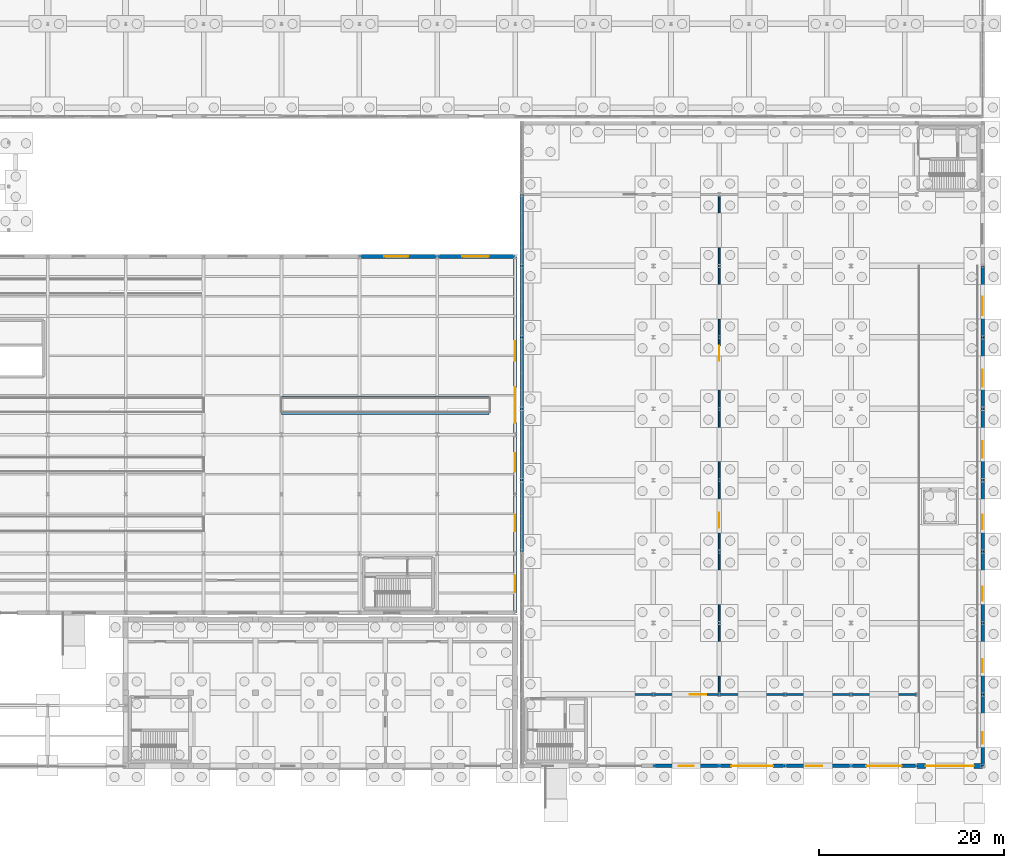
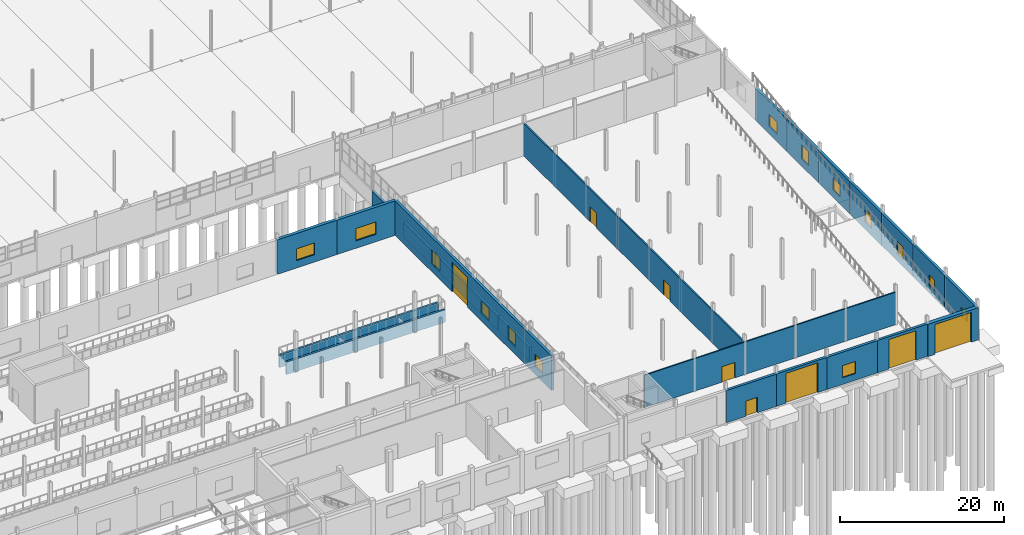
# One storey, part 127 of 139: 24 walls, 14 windows, 8 doors, 22 openings.
"""IFC4 building model written with IfcOpenShell, lengths in metres."""

from ifc_helpers import new_model, si_unit, direction, frame, frame_2d, origin, place, context, subcontext, project, spatial, rectangle, extrude, material, layer, layer_set, type_object, element, fill, save


model = new_model("IFC4")

# Units and contexts
model_context = context("Model", 3, precision=1e-05, world=origin(), true_north=direction((0.0, 1.0)))
body_context = subcontext(model_context, "Body", "Model", "MODEL_VIEW")
ifc_project = project(units=[si_unit("LENGTHUNIT", "METRE"), si_unit("AREAUNIT", "SQUARE_METRE"), si_unit("VOLUMEUNIT", "CUBIC_METRE"), si_unit("PLANEANGLEUNIT", "RADIAN"), si_unit("MASSUNIT", "GRAM", prefix="KILO")], contexts=[model_context])

# Site, building, storey
site_placement = place(None, origin())
site = spatial("IfcSite", under=ifc_project, at=site_placement, CompositionType="ELEMENT")
building_placement = place(site_placement, origin())
building = spatial("IfcBuilding", under=site, at=building_placement, Name="Kazenagashi Tramway Depot", CompositionType="ELEMENT")
storey_placement = place(building_placement, origin())
storey = spatial("IfcBuildingStorey", under=building, at=storey_placement, Name="L01", CompositionType="ELEMENT", Elevation=0.0)

# Wall, opening, window
ifc_material_1 = material(Name="Clay Brick Masonry JIS R 1250 Class 1 (20 MPa)", Category="masonry")
ifc_layer_1 = layer(ifc_material_1, 0.43)
ifc_layer_set_1 = layer_set([ifc_layer_1], Name="Clay Brick Masonry JIS R 1250 Class 1 (20 MPa)")
wall_type_1 = type_object("IfcWallType", Name="W-BK1", PredefinedType="SOLIDWALL", material=ifc_layer_set_1)
wall_1_placement = place(storey_placement, frame((128.8, 54.9, 0.0), z_axis=(0.0, 0.0, 1.0), x_axis=(1.0, 0.0, 0.0)))
wall_1 = element("IfcWall", 1, at=wall_1_placement, inside=storey, type_object=wall_type_1, Name="Exterior Brick Wall W-BK1 EWALL-0121", PredefinedType="SOLIDWALL", context=body_context, shape_type="SweptSolid", body=[
    extrude(rectangle(XDim=8.4, YDim=0.43, at=frame_2d((4.2, 0.0))), origin(), (0.0, 0.0, 1.0), 5.14),
])
opening_1_placement = place(wall_1_placement, frame((2.7, 0.0, 1.1)))
opening_1 = element("IfcOpeningElement", 2, at=opening_1_placement, cuts=wall_1, Name="Opening WN-42", PredefinedType="OPENING", context=body_context, shape_type="SweptSolid", body=[
    extrude(rectangle(XDim=2.55, YDim=1.75, at=frame_2d((1.275, 0.875))), frame((0.0, 0.225, 0.0), z_axis=(0.0, -1.0, 0.0), x_axis=(1.0, 0.0, 0.0)), (0.0, 0.0, 1.0), 0.45),
])
ifc_material_2 = material(Name="Anodised Aluminium and Tempered Low-E Glass", Category="aluminium")
window_type_1 = type_object("IfcWindowType", Name="WN-42", PartitioningType="SINGLE_PANEL", PredefinedType="WINDOW", material=ifc_material_2)
window_1_placement = place(opening_1_placement, origin())
window_1 = element("IfcWindow", 3, at=window_1_placement, inside=storey, type_object=window_type_1, Name="Window WN-42 WIN-0090", OverallHeight=1.75, OverallWidth=2.55, PartitioningType="SINGLE_PANEL", PredefinedType="WINDOW", context=body_context, shape_type="SweptSolid", body=[
    extrude(rectangle(XDim=2.55, YDim=1.75, at=frame_2d((1.275, 0.875))), frame((0.0, 0.03, 0.0), z_axis=(0.0, -1.0, 0.0), x_axis=(1.0, 0.0, 0.0)), (0.0, 0.0, 1.0), 0.06),
])
fill(opening_1, window_1)

wall_2_placement = place(storey_placement, frame((137.2, 54.9, 0.0), z_axis=(0.0, 0.0, 1.0), x_axis=(1.0, 0.0, 0.0)))
wall_2 = element("IfcWall", 4, at=wall_2_placement, inside=storey, type_object=wall_type_1, Name="Exterior Brick Wall W-BK1 EWALL-0123", PredefinedType="SOLIDWALL", context=body_context, shape_type="SweptSolid", body=[
    extrude(rectangle(XDim=8.4, YDim=0.43, at=frame_2d((4.2, 0.0))), origin(), (0.0, 0.0, 1.0), 5.14),
])
opening_2_placement = place(wall_2_placement, frame((2.7, 0.0, 1.1)))
opening_2 = element("IfcOpeningElement", 5, at=opening_2_placement, cuts=wall_2, Name="Opening WN-44", PredefinedType="OPENING", context=body_context, shape_type="SweptSolid", body=[
    extrude(rectangle(XDim=2.85, YDim=1.85, at=frame_2d((1.425, 0.925))), frame((0.0, 0.225, 0.0), z_axis=(0.0, -1.0, 0.0), x_axis=(1.0, 0.0, 0.0)), (0.0, 0.0, 1.0), 0.45),
])
window_type_2 = type_object("IfcWindowType", Name="WN-44", PartitioningType="SINGLE_PANEL", PredefinedType="WINDOW", material=ifc_material_2)
window_2_placement = place(opening_2_placement, origin())
window_2 = element("IfcWindow", 6, at=window_2_placement, inside=storey, type_object=window_type_2, Name="Window WN-44 WIN-0092", OverallHeight=1.85, OverallWidth=2.85, PartitioningType="SINGLE_PANEL", PredefinedType="WINDOW", context=body_context, shape_type="SweptSolid", body=[
    extrude(rectangle(XDim=2.85, YDim=1.85, at=frame_2d((1.425, 0.925))), frame((0.0, 0.03, 0.0), z_axis=(0.0, -1.0, 0.0), x_axis=(1.0, 0.0, 0.0)), (0.0, 0.0, 1.0), 0.06),
])
fill(opening_2, window_2)

# Wall, openings, door, windows
ifc_layer_2 = layer(ifc_material_1, 0.36)
ifc_layer_set_2 = layer_set([ifc_layer_2], Name="Clay Brick Masonry JIS R 1250 Class 1 (20 MPa)")
wall_type_2 = type_object("IfcWallType", Name="W-BK2", PredefinedType="SOLIDWALL", material=ifc_layer_set_2)
wall_3_placement = place(storey_placement, frame((145.6, 16.5, 0.0), z_axis=(0.0, 0.0, 1.0), x_axis=(0.0, 1.0, 0.0)))
wall_3 = element("IfcWall", 7, at=wall_3_placement, inside=storey, type_object=wall_type_2, Name="Exterior Brick Wall W-BK2 EWALL-0073", PredefinedType="SOLIDWALL", context=body_context, shape_type="SweptSolid", body=[
    extrude(rectangle(XDim=38.4, YDim=0.36, at=frame_2d((19.2, 0.0))), origin(), (0.0, 0.0, 1.0), 5.14),
])
opening_3_placement = place(wall_3_placement, frame((20.5, 0.0, 0.0)))
opening_3 = element("IfcOpeningElement", 8, at=opening_3_placement, cuts=wall_3, Name="Opening RS-17", PredefinedType="OPENING", context=body_context, shape_type="SweptSolid", body=[
    extrude(rectangle(XDim=3.8, YDim=4.4, at=frame_2d((1.9, 2.2))), frame((0.0, 0.19, 0.0), z_axis=(0.0, -1.0, 0.0), x_axis=(1.0, 0.0, 0.0)), (0.0, 0.0, 1.0), 0.38),
])
opening_4_placement = place(wall_3_placement, frame((2.2, 0.0, 1.2)))
opening_4 = element("IfcOpeningElement", 9, at=opening_4_placement, cuts=wall_3, Name="Opening WN-05", PredefinedType="OPENING", context=body_context, shape_type="SweptSolid", body=[
    extrude(rectangle(XDim=1.8, YDim=1.8, at=frame_2d((0.9, 0.9))), frame((0.0, 0.19, 0.0), z_axis=(0.0, -1.0, 0.0), x_axis=(1.0, 0.0, 0.0)), (0.0, 0.0, 1.0), 0.38),
])
opening_5_placement = place(wall_3_placement, frame((8.8, 0.0, 1.2)))
opening_5 = element("IfcOpeningElement", 10, at=opening_5_placement, cuts=wall_3, Name="Opening WN-06", PredefinedType="OPENING", context=body_context, shape_type="SweptSolid", body=[
    extrude(rectangle(XDim=1.8, YDim=2.1, at=frame_2d((0.9, 1.05))), frame((0.0, 0.19, 0.0), z_axis=(0.0, -1.0, 0.0), x_axis=(1.0, 0.0, 0.0)), (0.0, 0.0, 1.0), 0.38),
])
opening_6_placement = place(wall_3_placement, frame((15.2, 0.0, 1.2)))
opening_6 = element("IfcOpeningElement", 11, at=opening_6_placement, cuts=wall_3, Name="Opening WN-07", PredefinedType="OPENING", context=body_context, shape_type="SweptSolid", body=[
    extrude(rectangle(XDim=2.0, YDim=1.8, at=frame_2d((1.0, 0.9))), frame((0.0, 0.19, 0.0), z_axis=(0.0, -1.0, 0.0), x_axis=(1.0, 0.0, 0.0)), (0.0, 0.0, 1.0), 0.38),
])
opening_7_placement = place(wall_3_placement, frame((27.2, 0.0, 1.2)))
opening_7 = element("IfcOpeningElement", 12, at=opening_7_placement, cuts=wall_3, Name="Opening WN-08", PredefinedType="OPENING", context=body_context, shape_type="SweptSolid", body=[
    extrude(rectangle(XDim=2.1, YDim=2.1, at=frame_2d((1.05, 1.05))), frame((0.0, 0.19, 0.0), z_axis=(0.0, -1.0, 0.0), x_axis=(1.0, 0.0, 0.0)), (0.0, 0.0, 1.0), 0.38),
])
ifc_material_3 = material(Name="Galvanised Insulated Steel Slats", Category="steel")
door_type_1 = type_object("IfcDoorType", Name="DT-27", OperationType="NOTDEFINED", PredefinedType="DOOR", material=ifc_material_3)
door_1_placement = place(opening_3_placement, frame((3.8, 0.0, 0.0), z_axis=(0.0, 0.0, 1.0), x_axis=(-1.0, 0.0, 0.0)))
door_1 = element("IfcDoor", 13, at=door_1_placement, inside=storey, type_object=door_type_1, Name="Motorised Vehicle Roller Shutter RS-17", OperationType="ROLLINGUP", OverallHeight=4.4, OverallWidth=3.8, PredefinedType="DOOR", context=body_context, shape_type="SweptSolid", body=[
    extrude(rectangle(XDim=3.8, YDim=4.4, at=frame_2d((1.9, 2.2))), frame((0.0, 0.025, 0.0), z_axis=(0.0, -1.0, 0.0), x_axis=(1.0, 0.0, 0.0)), (0.0, 0.0, 1.0), 0.05),
])
fill(opening_3, door_1)
window_type_3 = type_object("IfcWindowType", Name="WN-05", PartitioningType="SINGLE_PANEL", PredefinedType="WINDOW", material=ifc_material_2)
window_3_placement = place(opening_4_placement, origin())
window_3 = element("IfcWindow", 14, at=window_3_placement, inside=storey, type_object=window_type_3, Name="Window WN-05 WIN-0045", OverallHeight=1.8, OverallWidth=1.8, PartitioningType="SINGLE_PANEL", PredefinedType="WINDOW", context=body_context, shape_type="SweptSolid", body=[
    extrude(rectangle(XDim=1.8, YDim=1.8, at=frame_2d((0.9, 0.9))), frame((0.0, 0.03, 0.0), z_axis=(0.0, -1.0, 0.0), x_axis=(1.0, 0.0, 0.0)), (0.0, 0.0, 1.0), 0.06),
])
fill(opening_4, window_3)
window_type_4 = type_object("IfcWindowType", Name="WN-06", PartitioningType="SINGLE_PANEL", PredefinedType="WINDOW", material=ifc_material_2)
window_4_placement = place(opening_5_placement, origin())
window_4 = element("IfcWindow", 15, at=window_4_placement, inside=storey, type_object=window_type_4, Name="Window WN-06 WIN-0046", OverallHeight=2.1, OverallWidth=1.8, PartitioningType="SINGLE_PANEL", PredefinedType="WINDOW", context=body_context, shape_type="SweptSolid", body=[
    extrude(rectangle(XDim=1.8, YDim=2.1, at=frame_2d((0.9, 1.05))), frame((0.0, 0.03, 0.0), z_axis=(0.0, -1.0, 0.0), x_axis=(1.0, 0.0, 0.0)), (0.0, 0.0, 1.0), 0.06),
])
fill(opening_5, window_4)
window_type_5 = type_object("IfcWindowType", Name="WN-07", PartitioningType="SINGLE_PANEL", PredefinedType="WINDOW", material=ifc_material_2)
window_5_placement = place(opening_6_placement, origin())
window_5 = element("IfcWindow", 16, at=window_5_placement, inside=storey, type_object=window_type_5, Name="Window WN-07 WIN-0047", OverallHeight=1.8, OverallWidth=2.0, PartitioningType="SINGLE_PANEL", PredefinedType="WINDOW", context=body_context, shape_type="SweptSolid", body=[
    extrude(rectangle(XDim=2.0, YDim=1.8, at=frame_2d((1.0, 0.9))), frame((0.0, 0.03, 0.0), z_axis=(0.0, -1.0, 0.0), x_axis=(1.0, 0.0, 0.0)), (0.0, 0.0, 1.0), 0.06),
])
fill(opening_6, window_5)
window_type_6 = type_object("IfcWindowType", Name="WN-08", PartitioningType="SINGLE_PANEL", PredefinedType="WINDOW", material=ifc_material_2)
window_6_placement = place(opening_7_placement, origin())
window_6 = element("IfcWindow", 17, at=window_6_placement, inside=storey, type_object=window_type_6, Name="Window WN-08 WIN-0048", OverallHeight=2.1, OverallWidth=2.1, PartitioningType="SINGLE_PANEL", PredefinedType="WINDOW", context=body_context, shape_type="SweptSolid", body=[
    extrude(rectangle(XDim=2.1, YDim=2.1, at=frame_2d((1.05, 1.05))), frame((0.0, 0.03, 0.0), z_axis=(0.0, -1.0, 0.0), x_axis=(1.0, 0.0, 0.0)), (0.0, 0.0, 1.0), 0.06),
])
fill(opening_7, window_6)

# Wall, opening, door
wall_4_placement = place(storey_placement, frame((160.5, 0.0, 0.0), z_axis=(0.0, 0.0, 1.0), x_axis=(1.0, 0.0, 0.0)))
wall_4 = element("IfcWall", 18, at=wall_4_placement, inside=storey, type_object=wall_type_2, Name="Exterior Brick Wall W-BK2 EWALL-0157", PredefinedType="SOLIDWALL", context=body_context, shape_type="SweptSolid", body=[
    extrude(rectangle(XDim=7.1, YDim=0.36, at=frame_2d((3.55, 0.0))), origin(), (0.0, 0.0, 1.0), 4.82),
])
opening_8_placement = place(wall_4_placement, frame((2.75, 0.0, 0.0)))
opening_8 = element("IfcOpeningElement", 19, at=opening_8_placement, cuts=wall_4, Name="Opening D-010", PredefinedType="OPENING", context=body_context, shape_type="SweptSolid", body=[
    extrude(rectangle(XDim=1.6, YDim=2.3, at=frame_2d((0.8, 1.15))), frame((0.0, 0.19, 0.0), z_axis=(0.0, -1.0, 0.0), x_axis=(1.0, 0.0, 0.0)), (0.0, 0.0, 1.0), 0.38),
])
ifc_material_4 = material(Name="Anodised Aluminium and Laminated Glass", Category="aluminium")
door_type_2 = type_object("IfcDoorType", Name="DT-02", OperationType="NOTDEFINED", PredefinedType="DOOR", material=ifc_material_4)
door_2_placement = place(opening_8_placement, frame((1.6, 0.0, 0.0), z_axis=(0.0, 0.0, 1.0), x_axis=(-1.0, 0.0, 0.0)))
door_2 = element("IfcDoor", 20, at=door_2_placement, inside=storey, type_object=door_type_2, Name="Wash Plant Final Exit Door D-010", OperationType="DOUBLE_DOOR_SINGLE_SWING", OverallHeight=2.3, OverallWidth=1.6, PredefinedType="DOOR", context=body_context, shape_type="SweptSolid", body=[
    extrude(rectangle(XDim=1.6, YDim=2.3, at=frame_2d((0.8, 1.15))), frame((0.0, 0.025, 0.0), z_axis=(0.0, -1.0, 0.0), x_axis=(1.0, 0.0, 0.0)), (0.0, 0.0, 1.0), 0.05),
])
fill(opening_8, door_2)

wall_5_placement = place(storey_placement, frame((167.6, 0.0, 0.0), z_axis=(0.0, 0.0, 1.0), x_axis=(1.0, 0.0, 0.0)))
wall_5 = element("IfcWall", 21, at=wall_5_placement, inside=storey, type_object=wall_type_2, Name="Exterior Brick Wall W-BK2 EWALL-0158", PredefinedType="SOLIDWALL", context=body_context, shape_type="SweptSolid", body=[
    extrude(rectangle(XDim=7.1, YDim=0.36, at=frame_2d((3.55, 0.0))), origin(), (0.0, 0.0, 1.0), 4.82),
])
opening_9_placement = place(wall_5_placement, frame((1.3, 0.0, 0.0)))
opening_9 = element("IfcOpeningElement", 22, at=opening_9_placement, cuts=wall_5, Name="Opening RS-19", PredefinedType="OPENING", context=body_context, shape_type="SweptSolid", body=[
    extrude(rectangle(XDim=4.5, YDim=4.45, at=frame_2d((2.25, 2.225))), frame((0.0, 0.19, 0.0), z_axis=(0.0, -1.0, 0.0), x_axis=(1.0, 0.0, 0.0)), (0.0, 0.0, 1.0), 0.38),
])
door_type_3 = type_object("IfcDoorType", Name="DT-24", OperationType="NOTDEFINED", PredefinedType="DOOR", material=ifc_material_3)
door_3_placement = place(opening_9_placement, frame((4.5, 0.0, 0.0), z_axis=(0.0, 0.0, 1.0), x_axis=(-1.0, 0.0, 0.0)))
door_3 = element("IfcDoor", 23, at=door_3_placement, inside=storey, type_object=door_type_3, Name="Motorised Vehicle Roller Shutter RS-19", OperationType="ROLLINGUP", OverallHeight=4.45, OverallWidth=4.5, PredefinedType="DOOR", context=body_context, shape_type="SweptSolid", body=[
    extrude(rectangle(XDim=4.5, YDim=4.45, at=frame_2d((2.25, 2.225))), frame((0.0, 0.025, 0.0), z_axis=(0.0, -1.0, 0.0), x_axis=(1.0, 0.0, 0.0)), (0.0, 0.0, 1.0), 0.05),
])
fill(opening_9, door_3)

# Wall, opening, window
wall_6_placement = place(storey_placement, frame((174.7, 0.0, 0.0), z_axis=(0.0, 0.0, 1.0), x_axis=(1.0, 0.0, 0.0)))
wall_6 = element("IfcWall", 24, at=wall_6_placement, inside=storey, type_object=wall_type_2, Name="Exterior Brick Wall W-BK2 EWALL-0159", PredefinedType="SOLIDWALL", context=body_context, shape_type="SweptSolid", body=[
    extrude(rectangle(XDim=7.1, YDim=0.36, at=frame_2d((3.55, 0.0))), origin(), (0.0, 0.0, 1.0), 4.82),
])
opening_10_placement = place(wall_6_placement, frame((2.2, 0.0, 1.0)))
opening_10 = element("IfcOpeningElement", 25, at=opening_10_placement, cuts=wall_6, Name="Opening WN-05", PredefinedType="OPENING", context=body_context, shape_type="SweptSolid", body=[
    extrude(rectangle(XDim=1.8, YDim=1.8, at=frame_2d((0.9, 0.9))), frame((0.0, 0.19, 0.0), z_axis=(0.0, -1.0, 0.0), x_axis=(1.0, 0.0, 0.0)), (0.0, 0.0, 1.0), 0.38),
])
window_7_placement = place(opening_10_placement, origin())
window_7 = element("IfcWindow", 26, at=window_7_placement, inside=storey, type_object=window_type_3, Name="Window WN-05 WIN-0155", OverallHeight=1.8, OverallWidth=1.8, PartitioningType="SINGLE_PANEL", PredefinedType="WINDOW", context=body_context, shape_type="SweptSolid", body=[
    extrude(rectangle(XDim=1.8, YDim=1.8, at=frame_2d((0.9, 0.9))), frame((0.0, 0.03, 0.0), z_axis=(0.0, -1.0, 0.0), x_axis=(1.0, 0.0, 0.0)), (0.0, 0.0, 1.0), 0.06),
])
fill(opening_10, window_7)

# Wall, opening, door
wall_7_placement = place(storey_placement, frame((181.8, 0.0, 0.0), z_axis=(0.0, 0.0, 1.0), x_axis=(1.0, 0.0, 0.0)))
wall_7 = element("IfcWall", 27, at=wall_7_placement, inside=storey, type_object=wall_type_2, Name="Exterior Brick Wall W-BK2 EWALL-0160", PredefinedType="SOLIDWALL", context=body_context, shape_type="SweptSolid", body=[
    extrude(rectangle(XDim=7.1, YDim=0.36, at=frame_2d((3.55, 0.0))), origin(), (0.0, 0.0, 1.0), 4.82),
])
opening_11_placement = place(wall_7_placement, frame((1.65, 0.0, 0.0)))
opening_11 = element("IfcOpeningElement", 28, at=opening_11_placement, cuts=wall_7, Name="Opening RS-20", PredefinedType="OPENING", context=body_context, shape_type="SweptSolid", body=[
    extrude(rectangle(XDim=3.8, YDim=4.4, at=frame_2d((1.9, 2.2))), frame((0.0, 0.19, 0.0), z_axis=(0.0, -1.0, 0.0), x_axis=(1.0, 0.0, 0.0)), (0.0, 0.0, 1.0), 0.38),
])
door_4_placement = place(opening_11_placement, frame((3.8, 0.0, 0.0), z_axis=(0.0, 0.0, 1.0), x_axis=(-1.0, 0.0, 0.0)))
door_4 = element("IfcDoor", 29, at=door_4_placement, inside=storey, type_object=door_type_1, Name="Motorised Vehicle Roller Shutter RS-20", OperationType="ROLLINGUP", OverallHeight=4.4, OverallWidth=3.8, PredefinedType="DOOR", context=body_context, shape_type="SweptSolid", body=[
    extrude(rectangle(XDim=3.8, YDim=4.4, at=frame_2d((1.9, 2.2))), frame((0.0, 0.025, 0.0), z_axis=(0.0, -1.0, 0.0), x_axis=(1.0, 0.0, 0.0)), (0.0, 0.0, 1.0), 0.05),
])
fill(opening_11, door_4)

# Wall, opening, window
wall_8_placement = place(storey_placement, frame((196.0, 0.0, 0.0), z_axis=(0.0, 0.0, 1.0), x_axis=(0.0, 1.0, 0.0)))
wall_8 = element("IfcWall", 30, at=wall_8_placement, inside=storey, type_object=wall_type_2, Name="Exterior Brick Wall W-BK2 EWALL-0161", PredefinedType="SOLIDWALL", context=body_context, shape_type="SweptSolid", body=[
    extrude(rectangle(XDim=7.7, YDim=0.36, at=frame_2d((3.85, 0.0))), origin(), (0.0, 0.0, 1.0), 4.82),
])
opening_12_placement = place(wall_8_placement, frame((2.4, 0.0, 1.1)))
opening_12 = element("IfcOpeningElement", 31, at=opening_12_placement, cuts=wall_8, Name="Opening WN-01", PredefinedType="OPENING", context=body_context, shape_type="SweptSolid", body=[
    extrude(rectangle(XDim=1.2, YDim=1.5, at=frame_2d((0.6, 0.75))), frame((0.0, 0.19, 0.0), z_axis=(0.0, -1.0, 0.0), x_axis=(1.0, 0.0, 0.0)), (0.0, 0.0, 1.0), 0.38),
])
window_type_7 = type_object("IfcWindowType", Name="WN-01", PartitioningType="SINGLE_PANEL", PredefinedType="WINDOW", material=ifc_material_2)
window_8_placement = place(opening_12_placement, origin())
window_8 = element("IfcWindow", 32, at=window_8_placement, inside=storey, type_object=window_type_7, Name="Window WN-01 WIN-0156", OverallHeight=1.5, OverallWidth=1.2, PartitioningType="SINGLE_PANEL", PredefinedType="WINDOW", context=body_context, shape_type="SweptSolid", body=[
    extrude(rectangle(XDim=1.2, YDim=1.5, at=frame_2d((0.6, 0.75))), frame((0.0, 0.03, 0.0), z_axis=(0.0, -1.0, 0.0), x_axis=(1.0, 0.0, 0.0)), (0.0, 0.0, 1.0), 0.06),
])
fill(opening_12, window_8)

wall_9_placement = place(storey_placement, frame((196.0, 7.7, 0.0), z_axis=(0.0, 0.0, 1.0), x_axis=(0.0, 1.0, 0.0)))
wall_9 = element("IfcWall", 33, at=wall_9_placement, inside=storey, type_object=wall_type_2, Name="Exterior Brick Wall W-BK2 EWALL-0162", PredefinedType="SOLIDWALL", context=body_context, shape_type="SweptSolid", body=[
    extrude(rectangle(XDim=7.7, YDim=0.36, at=frame_2d((3.85, 0.0))), origin(), (0.0, 0.0, 1.0), 4.82),
])
opening_13_placement = place(wall_9_placement, frame((2.4, 0.0, 1.1)))
opening_13 = element("IfcOpeningElement", 34, at=opening_13_placement, cuts=wall_9, Name="Opening WN-02", PredefinedType="OPENING", context=body_context, shape_type="SweptSolid", body=[
    extrude(rectangle(XDim=1.4, YDim=1.6, at=frame_2d((0.7, 0.8))), frame((0.0, 0.19, 0.0), z_axis=(0.0, -1.0, 0.0), x_axis=(1.0, 0.0, 0.0)), (0.0, 0.0, 1.0), 0.38),
])
window_type_8 = type_object("IfcWindowType", Name="WN-02", PartitioningType="SINGLE_PANEL", PredefinedType="WINDOW", material=ifc_material_2)
window_9_placement = place(opening_13_placement, origin())
window_9 = element("IfcWindow", 35, at=window_9_placement, inside=storey, type_object=window_type_8, Name="Window WN-02 WIN-0157", OverallHeight=1.6, OverallWidth=1.4, PartitioningType="SINGLE_PANEL", PredefinedType="WINDOW", context=body_context, shape_type="SweptSolid", body=[
    extrude(rectangle(XDim=1.4, YDim=1.6, at=frame_2d((0.7, 0.8))), frame((0.0, 0.03, 0.0), z_axis=(0.0, -1.0, 0.0), x_axis=(1.0, 0.0, 0.0)), (0.0, 0.0, 1.0), 0.06),
])
fill(opening_13, window_9)

wall_10_placement = place(storey_placement, frame((196.0, 15.4, 0.0), z_axis=(0.0, 0.0, 1.0), x_axis=(0.0, 1.0, 0.0)))
wall_10 = element("IfcWall", 36, at=wall_10_placement, inside=storey, type_object=wall_type_2, Name="Exterior Brick Wall W-BK2 EWALL-0163", PredefinedType="SOLIDWALL", context=body_context, shape_type="SweptSolid", body=[
    extrude(rectangle(XDim=7.7, YDim=0.36, at=frame_2d((3.85, 0.0))), origin(), (0.0, 0.0, 1.0), 4.82),
])
opening_14_placement = place(wall_10_placement, frame((2.4, 0.0, 1.1)))
opening_14 = element("IfcOpeningElement", 37, at=opening_14_placement, cuts=wall_10, Name="Opening WN-03", PredefinedType="OPENING", context=body_context, shape_type="SweptSolid", body=[
    extrude(rectangle(XDim=1.5, YDim=1.8, at=frame_2d((0.75, 0.9))), frame((0.0, 0.19, 0.0), z_axis=(0.0, -1.0, 0.0), x_axis=(1.0, 0.0, 0.0)), (0.0, 0.0, 1.0), 0.38),
])
window_type_9 = type_object("IfcWindowType", Name="WN-03", PartitioningType="SINGLE_PANEL", PredefinedType="WINDOW", material=ifc_material_2)
window_10_placement = place(opening_14_placement, origin())
window_10 = element("IfcWindow", 38, at=window_10_placement, inside=storey, type_object=window_type_9, Name="Window WN-03 WIN-0158", OverallHeight=1.8, OverallWidth=1.5, PartitioningType="SINGLE_PANEL", PredefinedType="WINDOW", context=body_context, shape_type="SweptSolid", body=[
    extrude(rectangle(XDim=1.5, YDim=1.8, at=frame_2d((0.75, 0.9))), frame((0.0, 0.03, 0.0), z_axis=(0.0, -1.0, 0.0), x_axis=(1.0, 0.0, 0.0)), (0.0, 0.0, 1.0), 0.06),
])
fill(opening_14, window_10)

wall_11_placement = place(storey_placement, frame((196.0, 23.1, 0.0), z_axis=(0.0, 0.0, 1.0), x_axis=(0.0, 1.0, 0.0)))
wall_11 = element("IfcWall", 39, at=wall_11_placement, inside=storey, type_object=wall_type_2, Name="Exterior Brick Wall W-BK2 EWALL-0164", PredefinedType="SOLIDWALL", context=body_context, shape_type="SweptSolid", body=[
    extrude(rectangle(XDim=7.7, YDim=0.36, at=frame_2d((3.85, 0.0))), origin(), (0.0, 0.0, 1.0), 4.82),
])
opening_15_placement = place(wall_11_placement, frame((2.4, 0.0, 1.1)))
opening_15 = element("IfcOpeningElement", 40, at=opening_15_placement, cuts=wall_11, Name="Opening WN-04", PredefinedType="OPENING", context=body_context, shape_type="SweptSolid", body=[
    extrude(rectangle(XDim=1.6, YDim=1.8, at=frame_2d((0.8, 0.9))), frame((0.0, 0.19, 0.0), z_axis=(0.0, -1.0, 0.0), x_axis=(1.0, 0.0, 0.0)), (0.0, 0.0, 1.0), 0.38),
])
window_type_10 = type_object("IfcWindowType", Name="WN-04", PartitioningType="SINGLE_PANEL", PredefinedType="WINDOW", material=ifc_material_2)
window_11_placement = place(opening_15_placement, origin())
window_11 = element("IfcWindow", 41, at=window_11_placement, inside=storey, type_object=window_type_10, Name="Window WN-04 WIN-0159", OverallHeight=1.8, OverallWidth=1.6, PartitioningType="SINGLE_PANEL", PredefinedType="WINDOW", context=body_context, shape_type="SweptSolid", body=[
    extrude(rectangle(XDim=1.6, YDim=1.8, at=frame_2d((0.8, 0.9))), frame((0.0, 0.03, 0.0), z_axis=(0.0, -1.0, 0.0), x_axis=(1.0, 0.0, 0.0)), (0.0, 0.0, 1.0), 0.06),
])
fill(opening_15, window_11)

wall_12_placement = place(storey_placement, frame((196.0, 30.8, 0.0), z_axis=(0.0, 0.0, 1.0), x_axis=(0.0, 1.0, 0.0)))
wall_12 = element("IfcWall", 42, at=wall_12_placement, inside=storey, type_object=wall_type_2, Name="Exterior Brick Wall W-BK2 EWALL-0165", PredefinedType="SOLIDWALL", context=body_context, shape_type="SweptSolid", body=[
    extrude(rectangle(XDim=7.7, YDim=0.36, at=frame_2d((3.85, 0.0))), origin(), (0.0, 0.0, 1.0), 4.82),
])
opening_16_placement = place(wall_12_placement, frame((2.4, 0.0, 1.1)))
opening_16 = element("IfcOpeningElement", 43, at=opening_16_placement, cuts=wall_12, Name="Opening WN-05", PredefinedType="OPENING", context=body_context, shape_type="SweptSolid", body=[
    extrude(rectangle(XDim=1.8, YDim=1.8, at=frame_2d((0.9, 0.9))), frame((0.0, 0.19, 0.0), z_axis=(0.0, -1.0, 0.0), x_axis=(1.0, 0.0, 0.0)), (0.0, 0.0, 1.0), 0.38),
])
window_12_placement = place(opening_16_placement, origin())
window_12 = element("IfcWindow", 44, at=window_12_placement, inside=storey, type_object=window_type_3, Name="Window WN-05 WIN-0160", OverallHeight=1.8, OverallWidth=1.8, PartitioningType="SINGLE_PANEL", PredefinedType="WINDOW", context=body_context, shape_type="SweptSolid", body=[
    extrude(rectangle(XDim=1.8, YDim=1.8, at=frame_2d((0.9, 0.9))), frame((0.0, 0.03, 0.0), z_axis=(0.0, -1.0, 0.0), x_axis=(1.0, 0.0, 0.0)), (0.0, 0.0, 1.0), 0.06),
])
fill(opening_16, window_12)

wall_13_placement = place(storey_placement, frame((196.0, 38.5, 0.0), z_axis=(0.0, 0.0, 1.0), x_axis=(0.0, 1.0, 0.0)))
wall_13 = element("IfcWall", 45, at=wall_13_placement, inside=storey, type_object=wall_type_2, Name="Exterior Brick Wall W-BK2 EWALL-0166", PredefinedType="SOLIDWALL", context=body_context, shape_type="SweptSolid", body=[
    extrude(rectangle(XDim=7.7, YDim=0.36, at=frame_2d((3.85, 0.0))), origin(), (0.0, 0.0, 1.0), 4.82),
])
opening_17_placement = place(wall_13_placement, frame((2.4, 0.0, 1.1)))
opening_17 = element("IfcOpeningElement", 46, at=opening_17_placement, cuts=wall_13, Name="Opening WN-06", PredefinedType="OPENING", context=body_context, shape_type="SweptSolid", body=[
    extrude(rectangle(XDim=1.8, YDim=2.1, at=frame_2d((0.9, 1.05))), frame((0.0, 0.19, 0.0), z_axis=(0.0, -1.0, 0.0), x_axis=(1.0, 0.0, 0.0)), (0.0, 0.0, 1.0), 0.38),
])
window_13_placement = place(opening_17_placement, origin())
window_13 = element("IfcWindow", 47, at=window_13_placement, inside=storey, type_object=window_type_4, Name="Window WN-06 WIN-0161", OverallHeight=2.1, OverallWidth=1.8, PartitioningType="SINGLE_PANEL", PredefinedType="WINDOW", context=body_context, shape_type="SweptSolid", body=[
    extrude(rectangle(XDim=1.8, YDim=2.1, at=frame_2d((0.9, 1.05))), frame((0.0, 0.03, 0.0), z_axis=(0.0, -1.0, 0.0), x_axis=(1.0, 0.0, 0.0)), (0.0, 0.0, 1.0), 0.06),
])
fill(opening_17, window_13)

wall_14_placement = place(storey_placement, frame((196.0, 46.2, 0.0), z_axis=(0.0, 0.0, 1.0), x_axis=(0.0, 1.0, 0.0)))
wall_14 = element("IfcWall", 48, at=wall_14_placement, inside=storey, type_object=wall_type_2, Name="Exterior Brick Wall W-BK2 EWALL-0168", PredefinedType="SOLIDWALL", context=body_context, shape_type="SweptSolid", body=[
    extrude(rectangle(XDim=7.7, YDim=0.36, at=frame_2d((3.85, 0.0))), origin(), (0.0, 0.0, 1.0), 4.82),
])
opening_18_placement = place(wall_14_placement, frame((2.4, 0.0, 1.1)))
opening_18 = element("IfcOpeningElement", 49, at=opening_18_placement, cuts=wall_14, Name="Opening WN-07", PredefinedType="OPENING", context=body_context, shape_type="SweptSolid", body=[
    extrude(rectangle(XDim=2.0, YDim=1.8, at=frame_2d((1.0, 0.9))), frame((0.0, 0.19, 0.0), z_axis=(0.0, -1.0, 0.0), x_axis=(1.0, 0.0, 0.0)), (0.0, 0.0, 1.0), 0.38),
])
window_14_placement = place(opening_18_placement, origin())
window_14 = element("IfcWindow", 50, at=window_14_placement, inside=storey, type_object=window_type_5, Name="Window WN-07 WIN-0163", OverallHeight=1.8, OverallWidth=2.0, PartitioningType="SINGLE_PANEL", PredefinedType="WINDOW", context=body_context, shape_type="SweptSolid", body=[
    extrude(rectangle(XDim=2.0, YDim=1.8, at=frame_2d((1.0, 0.9))), frame((0.0, 0.03, 0.0), z_axis=(0.0, -1.0, 0.0), x_axis=(1.0, 0.0, 0.0)), (0.0, 0.0, 1.0), 0.06),
])
fill(opening_18, window_14)

# Walls
for number, where, z_axis, x_axis, name in (
    (51, (146.3, 23.1, 0.0), (0.0, 0.0, 1.0), (0.0, 1.0, 0.0), "Exterior Brick Wall W-BK2 EWALL-0302"),
    (52, (146.3, 30.8, 0.0), (0.0, 0.0, 1.0), (0.0, 1.0, 0.0), "Exterior Brick Wall W-BK2 EWALL-0303"),
    (53, (146.3, 38.5, 0.0), (0.0, 0.0, 1.0), (0.0, 1.0, 0.0), "Exterior Brick Wall W-BK2 EWALL-0304"),
    (54, (146.3, 46.2, 0.0), (0.0, 0.0, 1.0), (0.0, 1.0, 0.0), "Exterior Brick Wall W-BK2 EWALL-0305"),
    (55, (146.3, 53.9, 0.0), (0.0, 0.0, 1.0), (0.0, 1.0, 0.0), "Exterior Brick Wall W-BK2 EWALL-0306"),
):
    element("IfcWall", number, at=place(storey_placement, frame(where, z_axis=z_axis, x_axis=x_axis)), inside=storey, type_object=wall_type_2, Name=name, PredefinedType="SOLIDWALL", context=body_context, shape_type="SweptSolid", body=[
        extrude(rectangle(XDim=7.7, YDim=0.36, at=frame_2d((3.85, 0.0))), origin(), (0.0, 0.0, 1.0), 2.2),
    ])

# Wall, opening, door
ifc_material_5 = material(Name="Clinker Brick Masonry JIS R 1250 Class 1 (24 MPa)", Category="masonry")
ifc_layer_3 = layer(ifc_material_5, 0.54)
ifc_layer_set_3 = layer_set([ifc_layer_3], Name="Clinker Brick Masonry JIS R 1250 Class 1 (24 MPa)")
wall_type_3 = type_object("IfcWallType", Name="W-BK4", PredefinedType="SOLIDWALL", material=ifc_layer_set_3)
wall_15_placement = place(storey_placement, frame((188.9, 0.0, 0.0), z_axis=(0.0, 0.0, 1.0), x_axis=(1.0, 0.0, 0.0)))
wall_15 = element("IfcWall", 56, at=wall_15_placement, inside=storey, type_object=wall_type_3, Name="Exterior Brick Wall W-BK4 EWALL-0005", PredefinedType="SOLIDWALL", context=body_context, shape_type="SweptSolid", body=[
    extrude(rectangle(XDim=7.1, YDim=0.54, at=frame_2d((3.55, 0.0))), origin(), (0.0, 0.0, 1.0), 4.82),
])
opening_19_placement = place(wall_15_placement, frame((0.95, 0.0, 0.0)))
opening_19 = element("IfcOpeningElement", 57, at=opening_19_placement, cuts=wall_15, Name="Opening RS-01", PredefinedType="OPENING", context=body_context, shape_type="SweptSolid", body=[
    extrude(rectangle(XDim=5.2, YDim=4.45, at=frame_2d((2.6, 2.225))), frame((0.0, 0.28, 0.0), z_axis=(0.0, -1.0, 0.0), x_axis=(1.0, 0.0, 0.0)), (0.0, 0.0, 1.0), 0.56),
])
door_type_4 = type_object("IfcDoorType", Name="DT-26", OperationType="NOTDEFINED", PredefinedType="DOOR", material=ifc_material_3)
door_5_placement = place(opening_19_placement, frame((5.2, 0.0, 0.0), z_axis=(0.0, 0.0, 1.0), x_axis=(-1.0, 0.0, 0.0)))
door_5 = element("IfcDoor", 58, at=door_5_placement, inside=storey, type_object=door_type_4, Name="Motorised Vehicle Roller Shutter RS-01", OperationType="ROLLINGUP", OverallHeight=4.45, OverallWidth=5.2, PredefinedType="DOOR", context=body_context, shape_type="SweptSolid", body=[
    extrude(rectangle(XDim=5.2, YDim=4.45, at=frame_2d((2.6, 2.225))), frame((0.0, 0.025, 0.0), z_axis=(0.0, -1.0, 0.0), x_axis=(1.0, 0.0, 0.0)), (0.0, 0.0, 1.0), 0.05),
])
fill(opening_19, door_5)

ifc_material_6 = material(Name="Gypsum Plasterboard Partition", Category="gypsum")
ifc_layer_4 = layer(ifc_material_6, 0.18)
ifc_layer_set_4 = layer_set([ifc_layer_4], Name="Gypsum Plasterboard Partition")
wall_type_4 = type_object("IfcWallType", Name="W-PT4", PredefinedType="PARTITIONING", material=ifc_layer_set_4)
wall_16_placement = place(storey_placement, frame((153.4, 7.7, 0.0), z_axis=(0.0, 0.0, 1.0), x_axis=(1.0, 0.0, 0.0)))
wall_16 = element("IfcWall", 59, at=wall_16_placement, inside=storey, type_object=wall_type_4, Name="Interior Partition W-PT4 IWALL-0252", PredefinedType="PARTITIONING", context=body_context, shape_type="SweptSolid", body=[
    extrude(rectangle(XDim=35.5, YDim=0.18, at=frame_2d((17.75, 0.0))), origin(), (0.0, 0.0, 1.0), 4.85),
])
opening_20_placement = place(wall_16_placement, frame((11.0, 0.0, 0.0)))
opening_20 = element("IfcOpeningElement", 60, at=opening_20_placement, cuts=wall_16, Name="Opening D-151", PredefinedType="OPENING", context=body_context, shape_type="SweptSolid", body=[
    extrude(rectangle(XDim=1.8, YDim=2.3, at=frame_2d((0.9, 1.15))), frame((0.0, 0.1, 0.0), z_axis=(0.0, -1.0, 0.0), x_axis=(1.0, 0.0, 0.0)), (0.0, 0.0, 1.0), 0.2),
])
ifc_material_7 = material(Name="Galvanised Fire-Rated Steel Door", Category="steel")
door_type_5 = type_object("IfcDoorType", Name="DT-08", OperationType="NOTDEFINED", PredefinedType="DOOR", material=ifc_material_7)
door_6_placement = place(opening_20_placement, origin())
door_6 = element("IfcDoor", 61, at=door_6_placement, inside=storey, type_object=door_type_5, Name="Interior Door D-151", OperationType="DOUBLE_DOOR_SINGLE_SWING", OverallHeight=2.3, OverallWidth=1.8, PredefinedType="DOOR", context=body_context, shape_type="SweptSolid", body=[
    extrude(rectangle(XDim=1.8, YDim=2.3, at=frame_2d((0.9, 1.15))), frame((0.0, 0.025, 0.0), z_axis=(0.0, -1.0, 0.0), x_axis=(1.0, 0.0, 0.0)), (0.0, 0.0, 1.0), 0.05),
])
fill(opening_20, door_6)

# Wall, openings, doors
ifc_layer_5 = layer(ifc_material_6, 0.2)
ifc_layer_set_5 = layer_set([ifc_layer_5], Name="Gypsum Plasterboard Partition")
wall_type_5 = type_object("IfcWallType", Name="W-PT5", PredefinedType="PARTITIONING", material=ifc_layer_set_5)
wall_17_placement = place(storey_placement, frame((167.6, 7.7, 0.0), z_axis=(0.0, 0.0, 1.0), x_axis=(0.0, 1.0, 0.0)))
wall_17 = element("IfcWall", 62, at=wall_17_placement, inside=storey, type_object=wall_type_5, Name="Interior Partition W-PT5 IWALL-0251", PredefinedType="PARTITIONING", context=body_context, shape_type="SweptSolid", body=[
    extrude(rectangle(XDim=53.9, YDim=0.2, at=frame_2d((26.95, 0.0))), origin(), (0.0, 0.0, 1.0), 4.85),
])
opening_21_placement = place(wall_17_placement, frame((18.0, 0.0, 0.0)))
opening_21 = element("IfcOpeningElement", 63, at=opening_21_placement, cuts=wall_17, Name="Opening D-149", PredefinedType="OPENING", context=body_context, shape_type="SweptSolid", body=[
    extrude(rectangle(XDim=1.6, YDim=2.2, at=frame_2d((0.8, 1.1))), frame((0.0, 0.11, 0.0), z_axis=(0.0, -1.0, 0.0), x_axis=(1.0, 0.0, 0.0)), (0.0, 0.0, 1.0), 0.22),
])
opening_22_placement = place(wall_17_placement, frame((36.0, 0.0, 0.0)))
opening_22 = element("IfcOpeningElement", 64, at=opening_22_placement, cuts=wall_17, Name="Opening D-150", PredefinedType="OPENING", context=body_context, shape_type="SweptSolid", body=[
    extrude(rectangle(XDim=1.6, YDim=2.2, at=frame_2d((0.8, 1.1))), frame((0.0, 0.11, 0.0), z_axis=(0.0, -1.0, 0.0), x_axis=(1.0, 0.0, 0.0)), (0.0, 0.0, 1.0), 0.22),
])
ifc_material_8 = material(Name="Powder-Coated Steel Door", Category="steel")
door_type_6 = type_object("IfcDoorType", Name="DT-17", OperationType="NOTDEFINED", PredefinedType="DOOR", material=ifc_material_8)
door_7_placement = place(opening_21_placement, origin())
door_7 = element("IfcDoor", 65, at=door_7_placement, inside=storey, type_object=door_type_6, Name="Interior Door D-149", OperationType="DOUBLE_DOOR_SINGLE_SWING", OverallHeight=2.2, OverallWidth=1.6, PredefinedType="DOOR", context=body_context, shape_type="SweptSolid", body=[
    extrude(rectangle(XDim=1.6, YDim=2.2, at=frame_2d((0.8, 1.1))), frame((0.0, 0.025, 0.0), z_axis=(0.0, -1.0, 0.0), x_axis=(1.0, 0.0, 0.0)), (0.0, 0.0, 1.0), 0.05),
])
fill(opening_21, door_7)
door_8_placement = place(opening_22_placement, origin())
door_8 = element("IfcDoor", 66, at=door_8_placement, inside=storey, type_object=door_type_6, Name="Interior Door D-150", OperationType="DOUBLE_DOOR_SINGLE_SWING", OverallHeight=2.2, OverallWidth=1.6, PredefinedType="DOOR", context=body_context, shape_type="SweptSolid", body=[
    extrude(rectangle(XDim=1.6, YDim=2.2, at=frame_2d((0.8, 1.1))), frame((0.0, 0.025, 0.0), z_axis=(0.0, -1.0, 0.0), x_axis=(1.0, 0.0, 0.0)), (0.0, 0.0, 1.0), 0.05),
])
fill(opening_22, door_8)

# Walls
ifc_material_9 = material(Name="Concrete Fc36", Category="concrete")
ifc_layer_6 = layer(ifc_material_9, 0.3)
ifc_layer_set_6 = layer_set([ifc_layer_6], Name="Concrete Fc36")
wall_type_6 = type_object("IfcWallType", Name="W-RC1", PredefinedType="SHEAR", material=ifc_layer_set_6)
for number, where, z_axis, x_axis, name in (
    (67, (120.4, 38.05, -1.85), (0.0, 0.0, 1.0), (1.0, 0.0, 0.0), "Core Shear Wall W-RC1 IWALL-0011"),
    (68, (120.4, 39.75, -1.85), (0.0, 0.0, 1.0), (1.0, 0.0, 0.0), "Core Shear Wall W-RC1 IWALL-0012"),
):
    element("IfcWall", number, at=place(storey_placement, frame(where, z_axis=z_axis, x_axis=x_axis)), inside=storey, type_object=wall_type_6, Name=name, PredefinedType="SHEAR", context=body_context, shape_type="SweptSolid", body=[
        extrude(rectangle(XDim=22.4, YDim=0.3, at=frame_2d((11.2, 0.0))), origin(), (0.0, 0.0, 1.0), 1.85),
    ])

save(model, "model.ifc")
